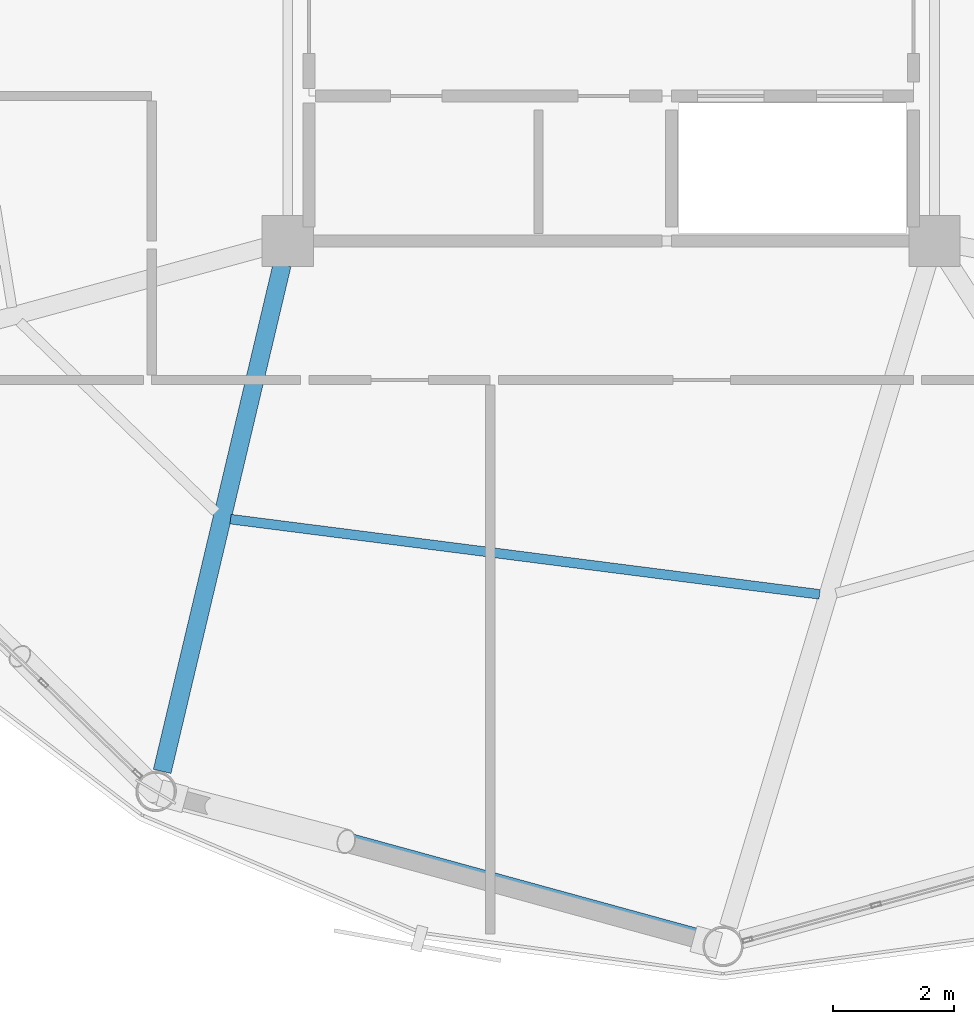
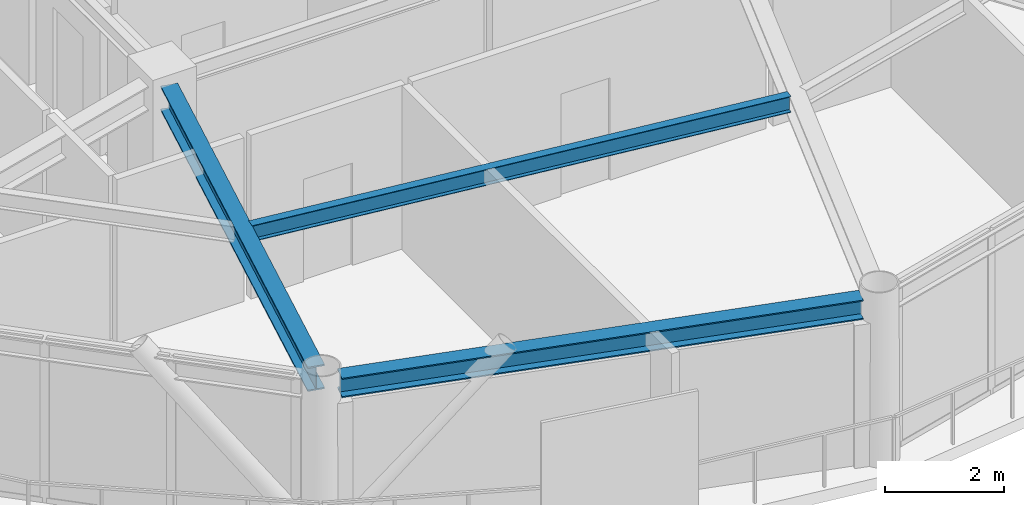
# One storey, part 3 of 28: 3 beams.
"""IFC4 building model written with IfcOpenShell, lengths in metres."""

from ifc_helpers import new_model, si_unit, direction, frame, origin, origin_2d, place, context, subcontext, project, spatial, i_section, extrude, material, material_profile, profile_set, type_object, element, save


model = new_model("IFC4")

# Units and contexts
model_context = context("Model", 3, precision=1e-05, world=origin(), true_north=direction((0.0, 1.0)))
body_context = subcontext(model_context, "Body", "Model", "MODEL_VIEW")
ifc_project = project(units=[si_unit("LENGTHUNIT", "METRE"), si_unit("AREAUNIT", "SQUARE_METRE"), si_unit("VOLUMEUNIT", "CUBIC_METRE"), si_unit("PLANEANGLEUNIT", "RADIAN"), si_unit("MASSUNIT", "GRAM", prefix="KILO")], contexts=[model_context])

# Site, building, storey
site_placement = place(None, origin())
site = spatial("IfcSite", under=ifc_project, at=site_placement, CompositionType="ELEMENT")
building_placement = place(site_placement, origin())
building = spatial("IfcBuilding", under=site, at=building_placement, Name="Varnakorn Sky Granary", CompositionType="ELEMENT")
storey_placement = place(building_placement, frame((0.0, 0.0, 225.60009765625)))
storey = spatial("IfcBuildingStorey", under=building, at=storey_placement, Name="L57", CompositionType="ELEMENT", Elevation=225.60009765625)

# Beams
ifc_material = material(Name="Steel S355JR", Category="steel")
ifc_material_profile_1 = material_profile(ifc_material, i_section(OverallWidth=0.300048828125, OverallDepth=0.5, WebThickness=0.014404296875, FlangeThickness=0.028076171875, at=origin_2d()), Name="HE 500 B")
ifc_profile_set_1 = profile_set([ifc_material_profile_1], Name="Steel S355JR")
beam_type_1 = type_object("IfcBeamType", Name="BM-RAD-Z4", PredefinedType="BEAM", material=ifc_profile_set_1)
beam_1_placement = place(storey_placement, frame((-2.443359375, -6.994140625, 3.10986328125), z_axis=(-0.230336403543, -0.973111063139, 0.0), x_axis=(0.973111063139, -0.230336403543, 0.0)))
element("IfcBeam", 1, at=beam_1_placement, inside=storey, type_object=beam_type_1, Name="Radial Floor Girder RG09 L57", PredefinedType="BEAM", context=body_context, shape_type="SweptSolid", body=[
    extrude(i_section(OverallWidth=0.300048828125, OverallDepth=0.5, WebThickness=0.014404296875, FlangeThickness=0.028076171875, at=origin_2d()), origin(), (0.0, 0.0, 1.0), 8.61181640625),
])
ifc_material_profile_2 = material_profile(ifc_material, i_section(OverallWidth=0.159912109375, OverallDepth=0.330078125, WebThickness=0.007568359375, FlangeThickness=0.011474609375, at=origin_2d()), Name="IPE 330")
ifc_profile_set_2 = profile_set([ifc_material_profile_2], Name="Steel S355JR")
beam_type_2 = type_object("IfcBeamType", Name="BM-SEC-Z4", PredefinedType="BEAM", material=ifc_profile_set_2)
beam_2_placement = place(storey_placement, frame((-3.296142578125, -11.2021484375, 3.19482421875), z_axis=(0.991947521112, -0.12664957702, 0.0), x_axis=(0.12664957702, 0.991947521112, 0.0)))
element("IfcBeam", 2, at=beam_2_placement, inside=storey, type_object=beam_type_2, Name="Secondary Floor Chord Beam MSB09 L57", PredefinedType="BEAM", context=body_context, shape_type="SweptSolid", body=[
    extrude(i_section(OverallWidth=0.159912109375, OverallDepth=0.330078125, WebThickness=0.007568359375, FlangeThickness=0.011474609375, at=origin_2d()), origin(), (0.0, 0.0, 1.0), 9.823486328125),
])
ifc_material_profile_3 = material_profile(ifc_material, i_section(OverallWidth=0.300048828125, OverallDepth=0.39990234375, WebThickness=0.013427734375, FlangeThickness=0.02392578125, at=origin_2d()), Name="HE 400 B")
ifc_profile_set_3 = profile_set([ifc_material_profile_3], Name="Steel S355JR")
beam_type_3 = type_object("IfcBeamType", Name="BM-SPD-Z4", PredefinedType="SPANDREL", material=ifc_profile_set_3)
beam_3_placement = place(storey_placement, frame((-4.19580078125, -15.764404296875, 3.159912109375), z_axis=(0.964479816997, -0.264156549426, 0.0), x_axis=(0.264156549426, 0.964479816997, 0.0)))
element("IfcBeam", 3, at=beam_3_placement, inside=storey, type_object=beam_type_3, Name="Perimeter Spandrel Ring Beam RB09 L57", PredefinedType="SPANDREL", context=body_context, shape_type="SweptSolid", body=[
    extrude(i_section(OverallWidth=0.300048828125, OverallDepth=0.39990234375, WebThickness=0.013427734375, FlangeThickness=0.02392578125, at=origin_2d()), origin(), (0.0, 0.0, 1.0), 9.06396484375),
])

save(model, "model.ifc")
